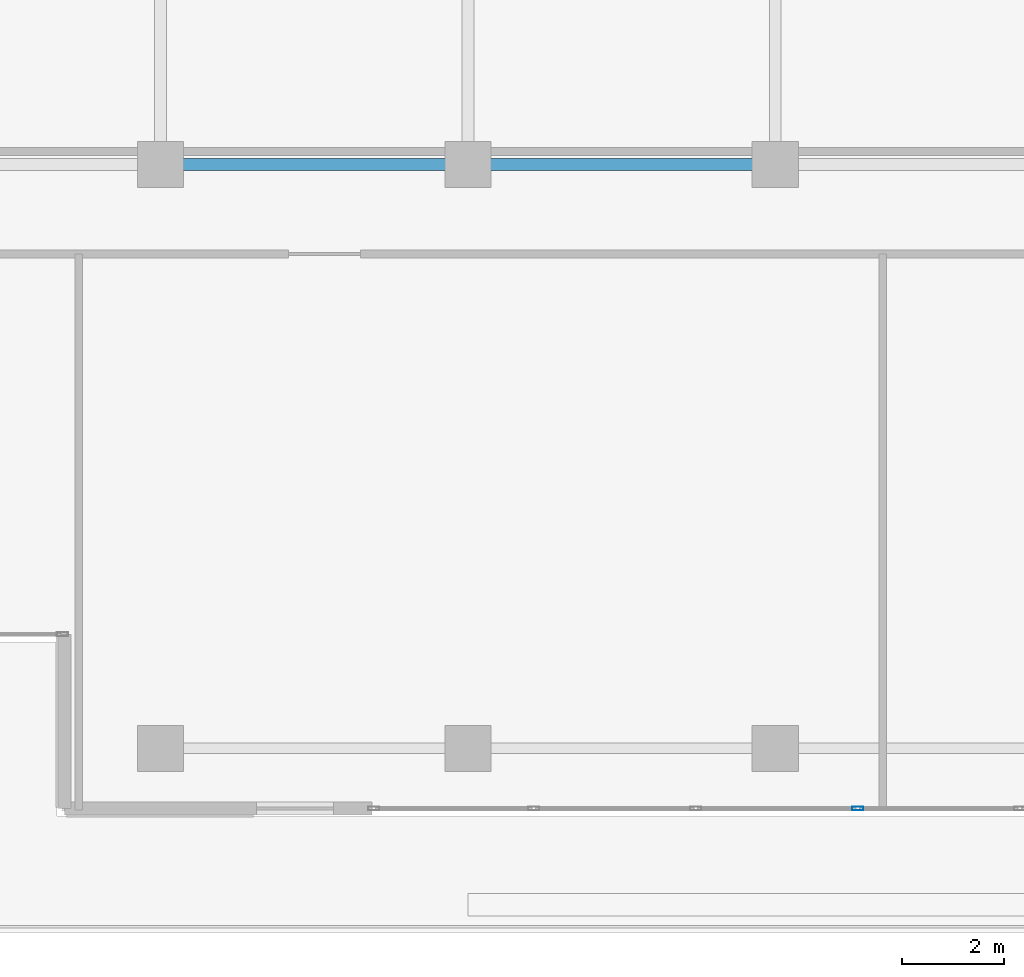
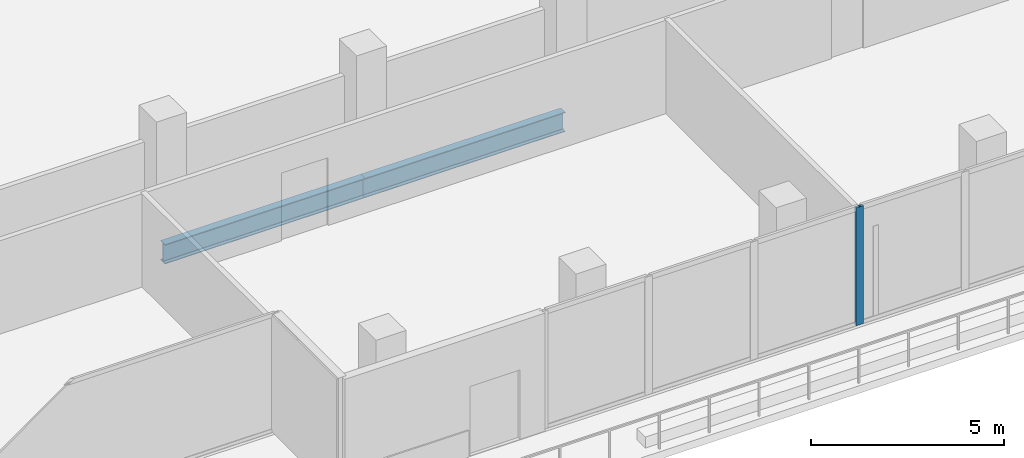
# One storey, part 6 of 30: 2 beams, 1 member, 1 element without a shape of its own.
"""IFC4 building model written with IfcOpenShell, lengths in metres."""

from ifc_helpers import new_model, si_unit, direction, frame, origin, origin_2d, place, context, subcontext, project, spatial, hollow_rectangle, i_section, extrude, material, layer, layer_set, material_profile, profile_set, type_object, element, aggregate, save


model = new_model("IFC4")

# Units and contexts
model_context = context("Model", 3, precision=1e-05, world=origin(), true_north=direction((0.0, 1.0)))
body_context = subcontext(model_context, "Body", "Model", "MODEL_VIEW")
ifc_project = project(units=[si_unit("LENGTHUNIT", "METRE"), si_unit("AREAUNIT", "SQUARE_METRE"), si_unit("VOLUMEUNIT", "CUBIC_METRE"), si_unit("PLANEANGLEUNIT", "RADIAN"), si_unit("MASSUNIT", "GRAM", prefix="KILO")], contexts=[model_context])

# Site, building, storey
site_placement = place(None, origin())
site = spatial("IfcSite", under=ifc_project, at=site_placement, CompositionType="ELEMENT")
building_placement = place(site_placement, origin())
building = spatial("IfcBuilding", under=site, at=building_placement, Name="Tanjung Sevakor Pilgrim Tower", CompositionType="ELEMENT")
storey_placement = place(building_placement, frame((0.0, 0.0, 128.0400390625)))
storey = spatial("IfcBuildingStorey", under=building, at=storey_placement, Name="L35", CompositionType="ELEMENT", Elevation=128.0400390625)

# Beams
ifc_material_1 = material(Name="Steel S355J2", Category="steel")
ifc_material_profile_1 = material_profile(ifc_material_1, i_section(OverallWidth=0.230224609375, OverallDepth=0.6171875, WebThickness=0.01318359375, FlangeThickness=0.022216796875, FilletRadius=0.0126953125, at=origin_2d()))
ifc_profile_set_1 = profile_set([ifc_material_profile_1], Name="Steel S355J2")
beam_type = type_object("IfcBeamType", Name="BM-B-G3-UB_610x229x140", PredefinedType="BEAM", material=ifc_profile_set_1)
for number, where, z_axis, x_axis, name in (
    (1, (54.0, 24.60009765625, -0.588623046875), (1.0, 0.0, 0.0), (0.0, 1.0, 0.0), "L35 Primary Floor Girder MAIN Y246-04"),
    (2, (60.0, 24.60009765625, -0.588623046875), (1.0, 0.0, 0.0), (0.0, 1.0, 0.0), "L35 Primary Floor Girder MAIN Y246-05"),
):
    element("IfcBeam", number, at=place(storey_placement, frame(where, z_axis=z_axis, x_axis=x_axis)), inside=storey, type_object=beam_type, Name=name, PredefinedType="BEAM", context=body_context, shape_type="SweptSolid", body=[
        extrude(i_section(OverallWidth=0.230224609375, OverallDepth=0.6171875, WebThickness=0.01318359375, FlangeThickness=0.022216796875, FilletRadius=0.0126953125, at=origin_2d()), origin(), (0.0, 0.0, 1.0), 6.0),
    ])

# Curtain wall, member
ifc_material_2 = material(Name="Aluminium 6063-T6 and Low-E Glass", Category="aluminium")
ifc_layer = layer(ifc_material_2, 0.199951171875)
ifc_layer_set = layer_set([ifc_layer], Name="CW-SYS-SKY")
curtain_wall_type = type_object("IfcCurtainWallType", Name="CW-SYS-SKY", PredefinedType="NOTDEFINED", material=ifc_layer_set)
curtain_wall_placement = place(storey_placement, origin())
curtain_wall = element("IfcCurtainWall", 3, at=curtain_wall_placement, inside=storey, type_object=curtain_wall_type, Name="L35 Curtain Wall CW-SKY-L35-S", PredefinedType="NOTDEFINED")
ifc_material_3 = material(Name="Aluminium 6063-T6", Category="aluminium")
ifc_material_profile_2 = material_profile(ifc_material_3, hollow_rectangle(XDim=0.074951171875, YDim=0.219970703125, WallThickness=0.0048828125, at=origin_2d()))
ifc_profile_set_2 = profile_set([ifc_material_profile_2], Name="Aluminium 6063-T6")
member_type = type_object("IfcMemberType", Name="TYPE-CWM-2", PredefinedType="MULLION", material=ifc_profile_set_2)
member_placement = place(storey_placement, frame((67.612060546875, 12.02490234375, 0.0), z_axis=(0.0, 0.0, 1.0), x_axis=(0.0, 1.0, 0.0)))
member = element("IfcMember", 4, at=member_placement, type_object=member_type, Name="CW-SKY mullion 4", PredefinedType="MULLION", context=body_context, shape_type="SweptSolid", body=[
    extrude(hollow_rectangle(XDim=0.074951171875, YDim=0.219970703125, WallThickness=0.0048828125, at=origin_2d()), origin(), (0.0, 0.0, 1.0), 3.739990234375),
])
aggregate(curtain_wall, [member])

save(model, "model.ifc")
